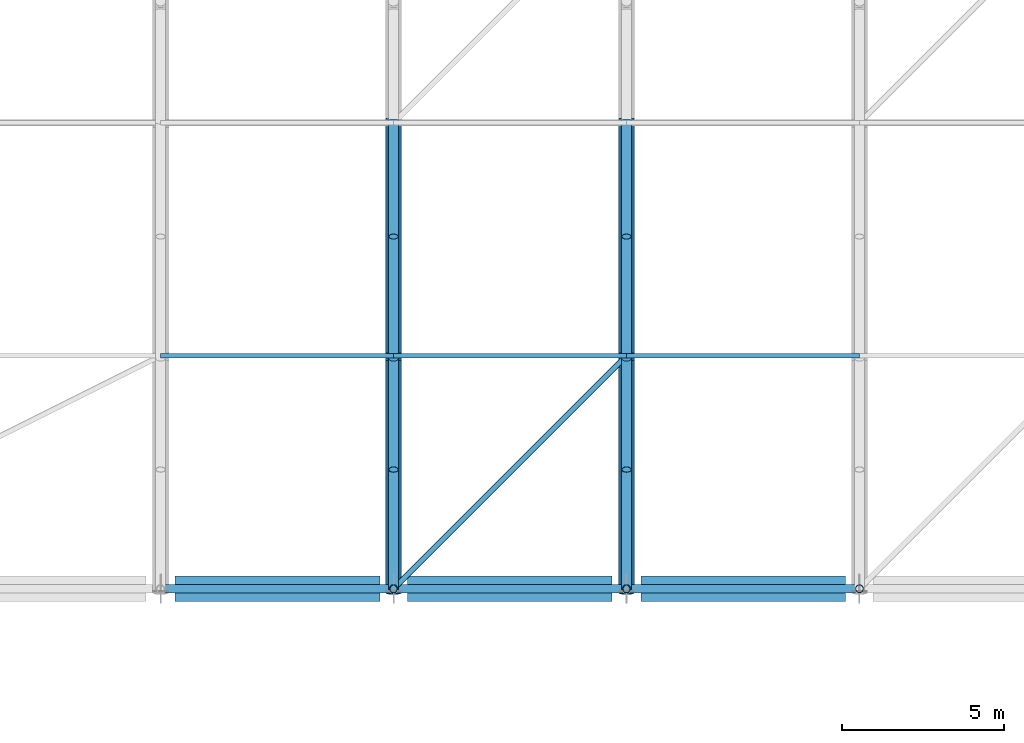
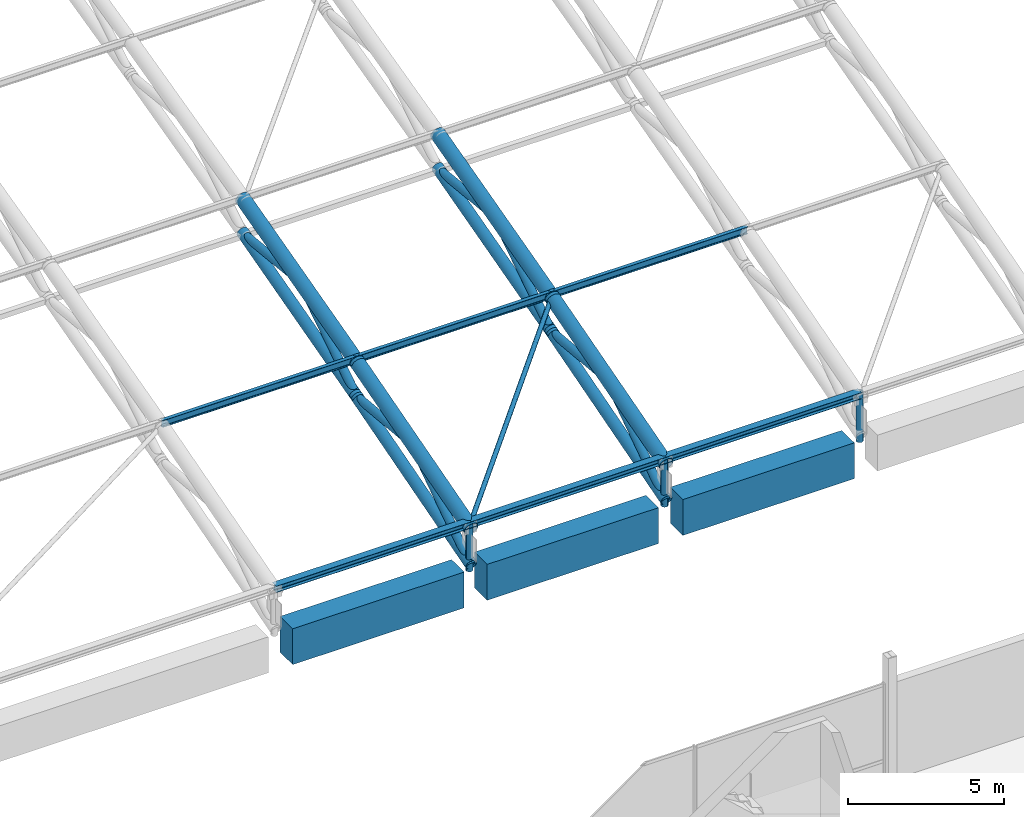
# One storey, part 38 of 193: 26 members, 3 beams.
"""IFC4 building model written with IfcOpenShell, lengths in metres."""

import ifcopenshell
import ifcopenshell.guid

model = None  # the IFC model being written
_history = None  # IfcOwnerHistory: only IFC2X3 demands one
_inside = {}  # id of a spatial element -> (the spatial element, [elements in it])
_under = {}  # id of a project, library or spatial element -> (it, [spatial elements below it])
_declared = {}  # id of a project -> (the project, [libraries it declares])
_typed = {}  # id of a type object -> (the type object, [elements of that type])
_made_of = {}  # id of a material, layer set ... -> (it, [elements and type objects made of it])


def new_model(schema):
    """Start an empty IFC model of exactly this schema.

    Asked for "IFC4X3", IfcOpenShell would pick the latest addendum, in which some entities
    have other attributes; the version numbers below select the first issue.
    IFC2X3 requires an IfcOwnerHistory on every rooted entity: one is made here for all.
    """
    global model, _history
    if schema == "IFC4X3":
        model = ifcopenshell.file(schema_version=(4, 3, 0, 0))
    else:
        model = ifcopenshell.file(schema=schema)
    _inside.clear()
    _under.clear()
    _declared.clear()
    _typed.clear()
    _made_of.clear()
    _history = None
    if model.schema == "IFC2X3":
        org = make("IfcOrganization", Name="unknown")
        user = make(
            "IfcPersonAndOrganization",
            ThePerson=make("IfcPerson", FamilyName="unknown"),
            TheOrganization=org,
        )
        app = make(
            "IfcApplication",
            ApplicationDeveloper=org,
            Version="unknown",
            ApplicationFullName="unknown",
            ApplicationIdentifier="unknown",
        )
        _history = make(
            "IfcOwnerHistory",
            OwningUser=user,
            OwningApplication=app,
            ChangeAction="ADDED",
            CreationDate=0,
        )
    return model


def make(cls, **values):
    """One entity of the class cls with the attributes given. An attribute that is None is left unset."""
    return model.create_entity(
        cls, **{name: value for name, value in values.items() if value is not None}
    )


def rooted(cls, **values):
    """An entity with a GlobalId (a new one), such as an element, a storey or a relation."""
    return make(cls, GlobalId=ifcopenshell.guid.new(), OwnerHistory=_history, **values)


def si_unit(unit_type, name, prefix=None):
    """IfcSIUnit, for example si_unit("LENGTHUNIT", "METRE", prefix="MILLI")."""
    return make("IfcSIUnit", UnitType=unit_type, Prefix=prefix, Name=name)


def assignment(units):
    """IfcUnitAssignment: the units of a project."""
    return None if units is None else make("IfcUnitAssignment", Units=units)


def point(xyz):
    """IfcCartesianPoint."""
    return None if xyz is None else make("IfcCartesianPoint", Coordinates=xyz)


def direction(xyz):
    """IfcDirection."""
    return None if xyz is None else make("IfcDirection", DirectionRatios=xyz)


def frame(location, z_axis=None, x_axis=None):
    """IfcAxis2Placement3D, a coordinate frame: its origin and axes. An axis left out is left unset."""
    return make(
        "IfcAxis2Placement3D",
        Location=point(location),
        Axis=direction(z_axis),
        RefDirection=direction(x_axis),
    )


def frame_2d(location, x_axis=None):
    """IfcAxis2Placement2D, a coordinate frame in the plane: its origin and x axis."""
    return make(
        "IfcAxis2Placement2D", Location=point(location), RefDirection=direction(x_axis)
    )


def origin():
    """The frame at (0, 0, 0) with its axes left unset."""
    return frame((0.0, 0.0, 0.0))


def origin_2d():
    """The frame at (0, 0) in the plane with its x axis left unset."""
    return frame_2d((0.0, 0.0))


def place(relative_to, where):
    """IfcLocalPlacement: puts the frame where relative to a parent placement (None: the world)."""
    return make(
        "IfcLocalPlacement", PlacementRelTo=relative_to, RelativePlacement=where
    )


def context(
    kind, dimensions, precision=None, world=None, true_north=None, identifier=None
):
    """IfcGeometricRepresentationContext, for example the 3D "Model" context."""
    return make(
        "IfcGeometricRepresentationContext",
        ContextIdentifier=identifier,
        ContextType=kind,
        CoordinateSpaceDimension=dimensions,
        Precision=precision,
        WorldCoordinateSystem=world,
        TrueNorth=true_north,
    )


def subcontext(parent, identifier, kind, view, scale=None):
    """IfcGeometricRepresentationSubContext, for example "Body" below "Model"."""
    return make(
        "IfcGeometricRepresentationSubContext",
        ContextIdentifier=identifier,
        ContextType=kind,
        ParentContext=parent,
        TargetScale=scale,
        TargetView=view,
    )


def project(units=None, contexts=None):
    """IfcProject with its units and contexts."""
    return rooted(
        "IfcProject",
        Name="project",
        RepresentationContexts=contexts,
        UnitsInContext=assignment(units),
    )


def spatial(cls, under=None, at=None, **own):
    """A site, building, storey or space (cls), placed at a placement, below another one or the project."""
    s = rooted(cls, ObjectPlacement=at, **own)
    if under is not None:
        _under.setdefault(under.id(), (under, []))[1].append(s)
    return s


def profile(cls, at=None, kind="AREA", **sizes):
    """A parametric profile (cls). Its sizes go by their IFC names, for example OverallWidth=200.0."""
    return make(cls, ProfileType=kind, Position=at, **sizes)


def rectangle(**sizes):
    """IfcRectangleProfileDef."""
    return profile("IfcRectangleProfileDef", **sizes)


def hollow_circle(**sizes):
    """IfcCircleHollowProfileDef."""
    return profile("IfcCircleHollowProfileDef", **sizes)


def i_section(**sizes):
    """IfcIShapeProfileDef."""
    return profile("IfcIShapeProfileDef", **sizes)


def extrude(swept, where, along, depth):
    """IfcExtrudedAreaSolid: the profile swept, set in the frame where, extruded along a direction by depth."""
    return make(
        "IfcExtrudedAreaSolid",
        SweptArea=swept,
        Position=where,
        ExtrudedDirection=direction(along),
        Depth=depth,
    )


def shape(context_of_items, identifier, shape_type, items):
    """IfcShapeRepresentation: the items that make up one representation, for example the "Body"."""
    return make(
        "IfcShapeRepresentation",
        ContextOfItems=context_of_items,
        RepresentationIdentifier=identifier,
        RepresentationType=shape_type,
        Items=items,
    )


def material(Name=None, Category=None):
    """IfcMaterial."""
    return make("IfcMaterial", Name=Name, Category=Category)


def material_profile(
    of_material, cross_section, Name=None, Category=None, Priority=None
):
    """IfcMaterialProfile: a cross section and its material."""
    return make(
        "IfcMaterialProfile",
        Name=Name,
        Material=of_material,
        Profile=cross_section,
        Priority=Priority,
        Category=Category,
    )


def profile_set(profiles, Name=None, composite=None):
    """IfcMaterialProfileSet."""
    return make(
        "IfcMaterialProfileSet",
        Name=Name,
        MaterialProfiles=profiles,
        CompositeProfile=composite,
    )


def made_of(thing, what):
    """Note that an element or type object is made of a material, layer set ...; save() writes the relation."""
    if what is not None:
        _made_of.setdefault(what.id(), (what, []))[1].append(thing)
    return thing


def type_object(cls, material=None, **own):
    """A type object (cls), such as IfcWallType, which elements share."""
    return made_of(rooted(cls, **own), material)


def element(
    cls,
    number,
    at=None,
    inside=None,
    cuts=None,
    type_object=None,
    material=None,
    context=None,
    identifier="Body",
    shape_type=None,
    held_by="IfcProductDefinitionShape",
    body=None,
    shapes=None,
    **own,
):
    """One element of the class cls, such as IfcWall. Its Tag is "e" and its number.

    at: its placement. inside: the storey or other place that contains it. cuts: it is an
    opening in that element (IfcRelVoidsElement). A single representation is given by context,
    identifier, shape_type and body (its items); several are given by shapes. held_by: the class
    of the entity that holds the representations. save() writes the other relations.
    """
    e = rooted(cls, Tag="e%d" % number, ObjectPlacement=at, **own)
    if body is not None:
        shapes = [shape(context, identifier, shape_type, body)]
    if shapes is not None:
        e.Representation = make(held_by, Representations=shapes)
    if inside is not None:
        _inside.setdefault(inside.id(), (inside, []))[1].append(e)
    if cuts is not None:
        rooted(
            "IfcRelVoidsElement", RelatingBuildingElement=cuts, RelatedOpeningElement=e
        )
    if type_object is not None:
        _typed.setdefault(type_object.id(), (type_object, []))[1].append(e)
    return made_of(e, material)


def aggregate(whole, parts):
    """IfcRelAggregates: a whole, such as a stair, and the parts it consists of."""
    return rooted("IfcRelAggregates", RelatingObject=whole, RelatedObjects=parts)


def save(model, path):
    """Write the relations noted so far, then the file.

    IfcRelAggregates (storeys below a building ...), IfcRelContainedInSpatialStructure (elements
    in a storey), IfcRelDefinesByType, IfcRelAssociatesMaterial and IfcRelDeclares: one each for
    every whole, place, type object, material and project.
    """
    for whole, parts in _under.values():
        aggregate(whole, parts)
    for where, things in _inside.values():
        rooted(
            "IfcRelContainedInSpatialStructure",
            RelatedElements=things,
            RelatingStructure=where,
        )
    for kind, things in _typed.values():
        rooted("IfcRelDefinesByType", RelatedObjects=things, RelatingType=kind)
    for what, things in _made_of.values():
        rooted("IfcRelAssociatesMaterial", RelatedObjects=things, RelatingMaterial=what)
    for by, libraries in _declared.values():
        rooted("IfcRelDeclares", RelatingContext=by, RelatedDefinitions=libraries)
    model.write(path)


model = new_model("IFC4")

# Units and contexts
model_context = context("Model", 3, precision=1e-05, world=origin(), true_north=direction((0.0, 1.0)))
body_context = subcontext(model_context, "Body", "Model", "MODEL_VIEW")
ifc_project = project(units=[si_unit("LENGTHUNIT", "METRE"), si_unit("AREAUNIT", "SQUARE_METRE"), si_unit("VOLUMEUNIT", "CUBIC_METRE"), si_unit("PLANEANGLEUNIT", "RADIAN"), si_unit("MASSUNIT", "GRAM", prefix="KILO")], contexts=[model_context])

# Site, building, storey
site_placement = place(None, origin())
site = spatial("IfcSite", under=ifc_project, at=site_placement, CompositionType="ELEMENT")
building_placement = place(site_placement, origin())
building = spatial("IfcBuilding", under=site, at=building_placement, Name="Cendralis Lancet Convention Centre", CompositionType="ELEMENT")
storey_placement = place(building_placement, frame((0.0, 0.0, 10.199951171875)))
storey = spatial("IfcBuildingStorey", under=building, at=storey_placement, Name="L02", CompositionType="ELEMENT", Elevation=10.199951171875)

# Beams
ifc_material_1 = material(Name="Concrete G40 (C40/50)", Category="concrete")
ifc_material_profile_1 = material_profile(ifc_material_1, rectangle(XDim=0.800048828125, YDim=1.39990234375, at=origin_2d()), Name="RCB 800x1400")
ifc_profile_set_1 = profile_set([ifc_material_profile_1], Name="Concrete G40 (C40/50)")
beam_type = type_object("IfcBeamType", Name="STR-BM-BG17", PredefinedType="BEAM", material=ifc_profile_set_1)
for number, where, z_axis, x_axis, name in (
    (1, (94.050048828125, 50.39990234375, 1.5), (1.0, 0.0, 0.0), (0.0, 1.0, 0.0), "L02 Beam BG17 #1319"),
    (2, (101.22509765625, 50.39990234375, 1.5), (1.0, 0.0, 0.0), (0.0, 1.0, 0.0), "L02 Beam BG17 #1320"),
    (3, (108.449951171875, 50.39990234375, 1.5), (1.0, 0.0, 0.0), (0.0, 1.0, 0.0), "L02 Beam BG17 #1321"),
):
    element("IfcBeam", number, at=place(storey_placement, frame(where, z_axis=z_axis, x_axis=x_axis)), inside=storey, type_object=beam_type, Name=name, PredefinedType="BEAM", context=body_context, shape_type="SweptSolid", body=[
        extrude(rectangle(XDim=0.800048828125, YDim=1.39990234375, at=origin_2d()), origin(), (0.0, 0.0, 1.0), 6.324951171875),
    ])

# Members
ifc_material_2 = material(Name="Steel S355", Category="steel")
ifc_material_profile_2 = material_profile(ifc_material_2, hollow_circle(Radius=0.084228515625, WallThickness=0.008056640625, at=origin_2d()), Name="CHS 168.3x8.0")
ifc_profile_set_2 = profile_set([ifc_material_profile_2], Name="Steel S355")
member_type_1 = type_object("IfcMemberType", Name="STR-BR-RB01", PredefinedType="BRACE", material=ifc_profile_set_2)
member_1_placement = place(storey_placement, frame((100.800048828125, 50.39990234375, 3.60009765625), z_axis=(0.69309844049, 0.693121942522, 0.197981121789), x_axis=(-0.7071187694, 0.70709479277, 0.0)))
element("IfcMember", 4, at=member_1_placement, inside=storey, type_object=member_type_1, Name="Roof Diaphragm Brace RB01 V1-11-00A", PredefinedType="BRACE", context=body_context, shape_type="SweptSolid", body=[
    extrude(hollow_circle(Radius=0.084228515625, WallThickness=0.008056640625, at=origin_2d()), origin(), (0.0, 0.0, 1.0), 10.38818359375),
])
ifc_material_profile_3 = material_profile(ifc_material_2, i_section(OverallWidth=0.135009765625, OverallDepth=0.27001953125, WebThickness=0.006591796875, FlangeThickness=0.01025390625, FilletRadius=0.014892578125, at=origin_2d()), Name="IPE 270")
ifc_profile_set_3 = profile_set([ifc_material_profile_3], Name="Steel S355")
member_type_2 = type_object("IfcMemberType", Name="STR-PR-PR01", PredefinedType="PURLIN", material=ifc_profile_set_3)
for number, where, z_axis, x_axis, name in (
    (5, (93.60009765625, 57.60009765625, 5.771728515625), (1.0, 0.0, 0.0), (0.0, 1.0, 0.0), "Vault Roof Purlin PR01 V1-10-01"),
    (6, (100.800048828125, 57.60009765625, 5.771728515625), (1.0, 0.0, 0.0), (0.0, 1.0, 0.0), "Vault Roof Purlin PR01 V1-11-01"),
    (7, (108.0, 57.60009765625, 5.771728515625), (1.0, 0.0, 0.0), (0.0, 1.0, 0.0), "Vault Roof Purlin PR01 V1-12-01"),
):
    element("IfcMember", number, at=place(storey_placement, frame(where, z_axis=z_axis, x_axis=x_axis)), inside=storey, type_object=member_type_2, Name=name, PredefinedType="PURLIN", context=body_context, shape_type="SweptSolid", body=[
        extrude(i_section(OverallWidth=0.135009765625, OverallDepth=0.27001953125, WebThickness=0.006591796875, FlangeThickness=0.01025390625, FilletRadius=0.014892578125, at=origin_2d()), origin(), (0.0, 0.0, 1.0), 7.199951171875),
    ])
ifc_material_profile_4 = material_profile(ifc_material_2, i_section(OverallWidth=0.260009765625, OverallDepth=0.25, WebThickness=0.007568359375, FlangeThickness=0.012451171875, FilletRadius=0.02392578125, at=origin_2d()), Name="HEA 260")
ifc_profile_set_4 = profile_set([ifc_material_profile_4], Name="Steel S355")
member_type_3 = type_object("IfcMemberType", Name="STR-PR-PR07", PredefinedType="PURLIN", material=ifc_profile_set_4)
for number, where, z_axis, x_axis, name in (
    (8, (93.60009765625, 50.39990234375, 3.72509765625), (1.0, 0.0, 0.0), (0.0, 1.0, 0.0), "Vault Roof Purlin PR07 V1-10-00"),
    (9, (100.800048828125, 50.39990234375, 3.72509765625), (1.0, 0.0, 0.0), (0.0, 1.0, 0.0), "Vault Roof Purlin PR07 V1-11-00"),
    (10, (108.0, 50.39990234375, 3.72509765625), (1.0, 0.0, 0.0), (0.0, 1.0, 0.0), "Vault Roof Purlin PR07 V1-12-00"),
):
    element("IfcMember", number, at=place(storey_placement, frame(where, z_axis=z_axis, x_axis=x_axis)), inside=storey, type_object=member_type_3, Name=name, PredefinedType="PURLIN", context=body_context, shape_type="SweptSolid", body=[
        extrude(i_section(OverallWidth=0.260009765625, OverallDepth=0.25, WebThickness=0.007568359375, FlangeThickness=0.012451171875, FilletRadius=0.02392578125, at=origin_2d()), origin(), (0.0, 0.0, 1.0), 7.199951171875),
    ])
ifc_material_profile_5 = material_profile(ifc_material_2, hollow_circle(Radius=0.203125, WallThickness=0.01611328125, at=origin_2d()), Name="CHS 406.4x16.0")
ifc_profile_set_5 = profile_set([ifc_material_profile_5], Name="Steel S355")
member_type_4 = type_object("IfcMemberType", Name="STR-TR-BC01-INT", PredefinedType="CHORD", material=ifc_profile_set_5)
member_2_placement = place(storey_placement, frame((100.800048828125, 50.284912109375, 2.16650390625), z_axis=(0.0, 0.960208219649, 0.279285114028), x_axis=(-1.0, 0.0, 0.0)))
element("IfcMember", 11, at=member_2_placement, inside=storey, type_object=member_type_4, Name="ROOF TRUSS AT-V1-12 Bottom Chord 00", PredefinedType="CHORD", context=body_context, shape_type="SweptSolid", body=[
    extrude(hollow_circle(Radius=0.203125, WallThickness=0.01611328125, at=origin_2d()), origin(), (0.0, 0.0, 1.0), 7.738037109375),
])
member_3_placement = place(storey_placement, frame((100.800048828125, 57.484130859375, 4.262451171875), z_axis=(0.0, 0.964987331955, 0.262296490953), x_axis=(-1.0, 0.0, 0.0)))
element("IfcMember", 12, at=member_3_placement, inside=storey, type_object=member_type_4, Name="ROOF TRUSS AT-V1-12 Bottom Chord 01", PredefinedType="CHORD", context=body_context, shape_type="SweptSolid", body=[
    extrude(hollow_circle(Radius=0.203125, WallThickness=0.01611328125, at=origin_2d()), origin(), (0.0, 0.0, 1.0), 7.701171875),
])
member_4_placement = place(storey_placement, frame((108.0, 50.284912109375, 2.16650390625), z_axis=(0.0, 0.960208219649, 0.279285114028), x_axis=(-1.0, 0.0, 0.0)))
element("IfcMember", 13, at=member_4_placement, inside=storey, type_object=member_type_4, Name="ROOF TRUSS AT-V1-13 Bottom Chord 00", PredefinedType="CHORD", context=body_context, shape_type="SweptSolid", body=[
    extrude(hollow_circle(Radius=0.203125, WallThickness=0.01611328125, at=origin_2d()), origin(), (0.0, 0.0, 1.0), 7.738037109375),
])
member_5_placement = place(storey_placement, frame((108.0, 57.484130859375, 4.262451171875), z_axis=(0.0, 0.964987331955, 0.262296490953), x_axis=(-1.0, 0.0, 0.0)))
element("IfcMember", 14, at=member_5_placement, inside=storey, type_object=member_type_4, Name="ROOF TRUSS AT-V1-13 Bottom Chord 01", PredefinedType="CHORD", context=body_context, shape_type="SweptSolid", body=[
    extrude(hollow_circle(Radius=0.203125, WallThickness=0.01611328125, at=origin_2d()), origin(), (0.0, 0.0, 1.0), 7.701171875),
])
ifc_material_profile_6 = material_profile(ifc_material_2, hollow_circle(Radius=0.25390625, WallThickness=0.02001953125, at=origin_2d()), Name="CHS 508.0x20.0")
ifc_profile_set_6 = profile_set([ifc_material_profile_6], Name="Steel S355")
member_type_5 = type_object("IfcMemberType", Name="STR-TR-TC01-INT", PredefinedType="CHORD", material=ifc_profile_set_6)
member_6_placement = place(storey_placement, frame((100.800048828125, 50.28466796875, 3.567138671875), z_axis=(0.0, 0.961540636093, 0.274662711598), x_axis=(-1.0, 0.0, 0.0)))
element("IfcMember", 15, at=member_6_placement, inside=storey, type_object=member_type_5, Name="ROOF TRUSS AT-V1-12 Top Chord 00", PredefinedType="CHORD", context=body_context, shape_type="SweptSolid", body=[
    extrude(hollow_circle(Radius=0.25390625, WallThickness=0.02001953125, at=origin_2d()), origin(), (0.0, 0.0, 1.0), 7.727783203125),
])
member_7_placement = place(storey_placement, frame((100.800048828125, 57.484130859375, 5.625732421875), z_axis=(0.0, 0.966247582415, 0.257615235337), x_axis=(-1.0, 0.0, 0.0)))
element("IfcMember", 16, at=member_7_placement, inside=storey, type_object=member_type_5, Name="ROOF TRUSS AT-V1-12 Top Chord 01", PredefinedType="CHORD", context=body_context, shape_type="SweptSolid", body=[
    extrude(hollow_circle(Radius=0.25390625, WallThickness=0.02001953125, at=origin_2d()), origin(), (0.0, 0.0, 1.0), 7.69140625),
])
member_8_placement = place(storey_placement, frame((108.0, 50.28466796875, 3.567138671875), z_axis=(0.0, 0.961540636093, 0.274662711598), x_axis=(-1.0, 0.0, 0.0)))
element("IfcMember", 17, at=member_8_placement, inside=storey, type_object=member_type_5, Name="ROOF TRUSS AT-V1-13 Top Chord 00", PredefinedType="CHORD", context=body_context, shape_type="SweptSolid", body=[
    extrude(hollow_circle(Radius=0.25390625, WallThickness=0.02001953125, at=origin_2d()), origin(), (0.0, 0.0, 1.0), 7.727783203125),
])
member_9_placement = place(storey_placement, frame((108.0, 57.484130859375, 5.625732421875), z_axis=(0.0, 0.966247582415, 0.257615235337), x_axis=(-1.0, 0.0, 0.0)))
element("IfcMember", 18, at=member_9_placement, inside=storey, type_object=member_type_5, Name="ROOF TRUSS AT-V1-13 Top Chord 01", PredefinedType="CHORD", context=body_context, shape_type="SweptSolid", body=[
    extrude(hollow_circle(Radius=0.25390625, WallThickness=0.02001953125, at=origin_2d()), origin(), (0.0, 0.0, 1.0), 7.69140625),
])
ifc_material_profile_7 = material_profile(ifc_material_2, hollow_circle(Radius=0.149169921875, WallThickness=0.012451171875, at=origin_2d()), Name="CHS 298.5x12.5")
ifc_profile_set_7 = profile_set([ifc_material_profile_7], Name="Steel S355")
member_type_6 = type_object("IfcMemberType", Name="STR-TR-WD01-INT", PredefinedType="BRACE", material=ifc_profile_set_7)
member_10_placement = place(storey_placement, frame((100.800048828125, 50.317138671875, 2.14404296875), z_axis=(0.0, 0.829019978373, 0.559218987032), x_axis=(-1.0, 0.0, 0.0)))
element("IfcMember", 19, at=member_10_placement, inside=storey, type_object=member_type_6, Name="ROOF TRUSS AT-V1-12 Warren Web 00-0", PredefinedType="BRACE", context=body_context, shape_type="SweptSolid", body=[
    extrude(hollow_circle(Radius=0.149169921875, WallThickness=0.012451171875, at=origin_2d()), origin(), (0.0, 0.0, 1.0), 4.54248046875),
])
member_11_placement = place(storey_placement, frame((100.800048828125, 53.900390625, 4.6376953125), z_axis=(0.0, 0.995716709116, -0.092456666539), x_axis=(-1.0, 0.0, 0.0)))
element("IfcMember", 20, at=member_11_placement, inside=storey, type_object=member_type_6, Name="ROOF TRUSS AT-V1-12 Warren Web 00-1", PredefinedType="BRACE", context=body_context, shape_type="SweptSolid", body=[
    extrude(hollow_circle(Radius=0.149169921875, WallThickness=0.012451171875, at=origin_2d()), origin(), (0.0, 0.0, 1.0), 3.815673828125),
])
member_12_placement = place(storey_placement, frame((100.800048828125, 57.51611328125, 4.23974609375), z_axis=(0.0, 0.840291047389, 0.542135551018), x_axis=(-1.0, 0.0, 0.0)))
element("IfcMember", 21, at=member_12_placement, inside=storey, type_object=member_type_6, Name="ROOF TRUSS AT-V1-12 Warren Web 01-0", PredefinedType="BRACE", context=body_context, shape_type="SweptSolid", body=[
    extrude(hollow_circle(Radius=0.149169921875, WallThickness=0.012451171875, at=origin_2d()), origin(), (0.0, 0.0, 1.0), 4.48388671875),
])
member_13_placement = place(storey_placement, frame((100.800048828125, 61.1005859375, 6.626708984375), z_axis=(0.0, 0.99488409704, -0.101022935304), x_axis=(-1.0, 0.0, 0.0)))
element("IfcMember", 22, at=member_13_placement, inside=storey, type_object=member_type_6, Name="ROOF TRUSS AT-V1-12 Warren Web 01-1", PredefinedType="BRACE", context=body_context, shape_type="SweptSolid", body=[
    extrude(hollow_circle(Radius=0.149169921875, WallThickness=0.012451171875, at=origin_2d()), origin(), (0.0, 0.0, 1.0), 3.818359375),
])
member_14_placement = place(storey_placement, frame((108.0, 50.317138671875, 2.14404296875), z_axis=(0.0, 0.829019978373, 0.559218987032), x_axis=(-1.0, 0.0, 0.0)))
element("IfcMember", 23, at=member_14_placement, inside=storey, type_object=member_type_6, Name="ROOF TRUSS AT-V1-13 Warren Web 00-0", PredefinedType="BRACE", context=body_context, shape_type="SweptSolid", body=[
    extrude(hollow_circle(Radius=0.149169921875, WallThickness=0.012451171875, at=origin_2d()), origin(), (0.0, 0.0, 1.0), 4.54248046875),
])
member_15_placement = place(storey_placement, frame((108.0, 53.900390625, 4.6376953125), z_axis=(0.0, 0.995716709116, -0.092456666539), x_axis=(-1.0, 0.0, 0.0)))
element("IfcMember", 24, at=member_15_placement, inside=storey, type_object=member_type_6, Name="ROOF TRUSS AT-V1-13 Warren Web 00-1", PredefinedType="BRACE", context=body_context, shape_type="SweptSolid", body=[
    extrude(hollow_circle(Radius=0.149169921875, WallThickness=0.012451171875, at=origin_2d()), origin(), (0.0, 0.0, 1.0), 3.815673828125),
])
member_16_placement = place(storey_placement, frame((108.0, 57.51611328125, 4.23974609375), z_axis=(0.0, 0.840291047389, 0.542135551018), x_axis=(-1.0, 0.0, 0.0)))
element("IfcMember", 25, at=member_16_placement, inside=storey, type_object=member_type_6, Name="ROOF TRUSS AT-V1-13 Warren Web 01-0", PredefinedType="BRACE", context=body_context, shape_type="SweptSolid", body=[
    extrude(hollow_circle(Radius=0.149169921875, WallThickness=0.012451171875, at=origin_2d()), origin(), (0.0, 0.0, 1.0), 4.48388671875),
])
member_17_placement = place(storey_placement, frame((108.0, 61.1005859375, 6.626708984375), z_axis=(0.0, 0.99488409704, -0.101022935304), x_axis=(-1.0, 0.0, 0.0)))
element("IfcMember", 26, at=member_17_placement, inside=storey, type_object=member_type_6, Name="ROOF TRUSS AT-V1-13 Warren Web 01-1", PredefinedType="BRACE", context=body_context, shape_type="SweptSolid", body=[
    extrude(hollow_circle(Radius=0.149169921875, WallThickness=0.012451171875, at=origin_2d()), origin(), (0.0, 0.0, 1.0), 3.818359375),
])
ifc_material_profile_8 = material_profile(ifc_material_2, hollow_circle(Radius=0.122314453125, WallThickness=0.010009765625, at=origin_2d()), Name="CHS 244.5x10.0")
ifc_profile_set_8 = profile_set([ifc_material_profile_8], Name="Steel S355")
member_type_7 = type_object("IfcMemberType", Name="STR-TR-WV01-INT", PredefinedType="POST", material=ifc_profile_set_8)
for number, where, z_axis, x_axis, name in (
    (27, (100.800048828125, 50.39990234375, 1.900146484375), (0.0, 0.0, 1.0), (1.0, 0.0, 0.0), "ROOF TRUSS AT-V1-12 Springing Post N00"),
    (28, (108.0, 50.39990234375, 1.900146484375), (0.0, 0.0, 1.0), (1.0, 0.0, 0.0), "ROOF TRUSS AT-V1-13 Springing Post N00"),
    (29, (115.199951171875, 50.39990234375, 1.900146484375), (0.0, 0.0, 1.0), (1.0, 0.0, 0.0), "ROOF TRUSS AT-V1-14 Springing Post N00"),
):
    element("IfcMember", number, at=place(storey_placement, frame(where, z_axis=z_axis, x_axis=x_axis)), inside=storey, type_object=member_type_7, Name=name, PredefinedType="POST", context=body_context, shape_type="SweptSolid", body=[
        extrude(hollow_circle(Radius=0.122314453125, WallThickness=0.010009765625, at=origin_2d()), origin(), (0.0, 0.0, 1.0), 1.919921875),
    ])

save(model, "model.ifc")
